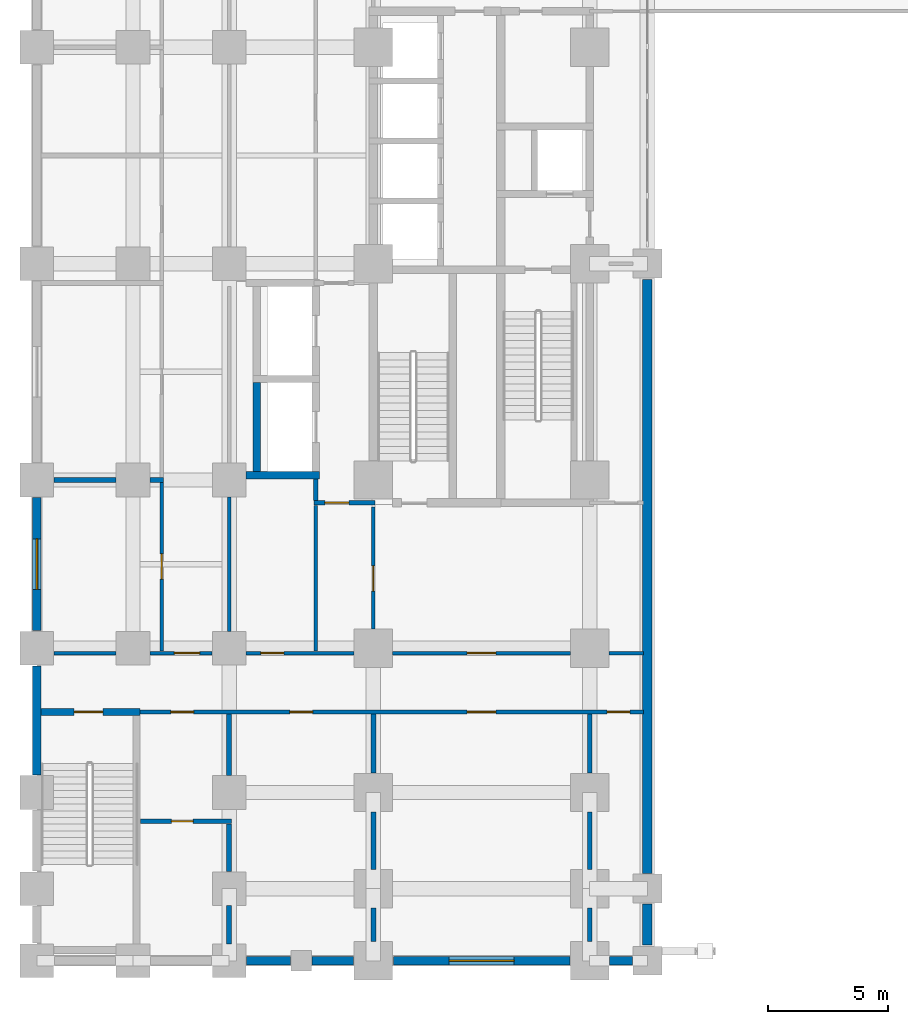
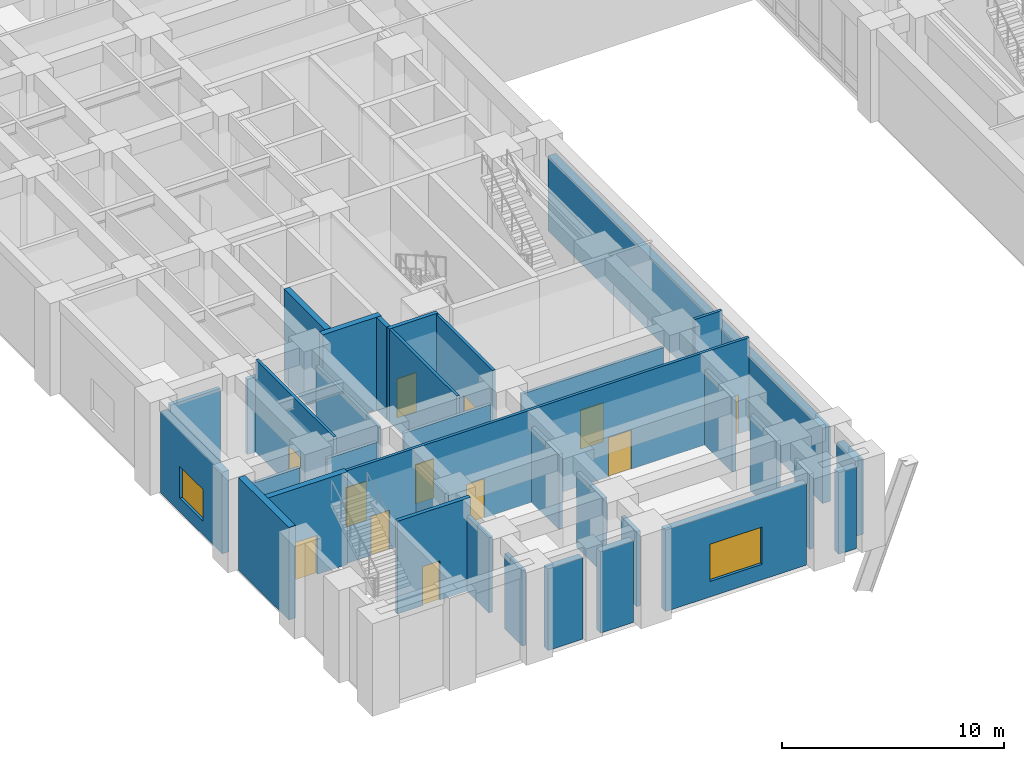
# One storey, part 10 of 23: 35 walls, 12 doors, 2 windows, 14 openings.
"""IFC4 building model written with IfcOpenShell, lengths in metres."""

from ifc_helpers import new_model, si_unit, direction, frame, frame_2d, origin, place, context, subcontext, project, spatial, rectangle, extrude, material, layer, layer_set, type_object, element, fill, save


model = new_model("IFC4")

# Units and contexts
model_context = context("Model", 3, precision=1e-05, world=origin(), true_north=direction((0.0, 1.0)))
body_context = subcontext(model_context, "Body", "Model", "MODEL_VIEW")
ifc_project = project(units=[si_unit("LENGTHUNIT", "METRE"), si_unit("AREAUNIT", "SQUARE_METRE"), si_unit("VOLUMEUNIT", "CUBIC_METRE"), si_unit("PLANEANGLEUNIT", "RADIAN"), si_unit("MASSUNIT", "GRAM", prefix="KILO")], contexts=[model_context])

# Site, building, storey
site_placement = place(None, origin())
site = spatial("IfcSite", under=ifc_project, at=site_placement, CompositionType="ELEMENT")
building_placement = place(site_placement, origin())
building = spatial("IfcBuilding", under=site, at=building_placement, Name="Zulmaris Gate Convention Tower", CompositionType="ELEMENT")
storey_placement = place(building_placement, frame((0.0, 0.0, 10.8798828125)))
storey = spatial("IfcBuildingStorey", under=building, at=storey_placement, Name="L02", CompositionType="ELEMENT", Elevation=10.8798828125)

# Wall, opening, door
ifc_material_1 = material(Name="Concrete C50/60", Category="concrete")
ifc_layer_1 = layer(ifc_material_1, 0.300048828125, Name="Concrete C50/60")
ifc_layer_set_1 = layer_set([ifc_layer_1], Name="Concrete C50/60")
wall_type_1 = type_object("IfcWallType", Name="CORE-300", PredefinedType="SHEAR", material=ifc_layer_set_1)
wall_1_placement = place(storey_placement, frame((-33.8349609375, -18.64990234375, 0.0), z_axis=(0.0, 0.0, 1.0), x_axis=(1.0, 0.0, 0.0)))
wall_1 = element("IfcWall", 1, at=wall_1_placement, inside=storey, type_object=wall_type_1, Name="WL-L02-003", PredefinedType="SHEAR", context=body_context, shape_type="SweptSolid", body=[
    extrude(rectangle(XDim=4.135009765625, YDim=0.300048828125, at=frame_2d((2.0673828125, 0.0))), origin(), (0.0, 0.0, 1.0), 5.09033203125),
])
opening_1_placement = place(wall_1_placement, frame((1.385009765625, 0.0, 0.0)))
opening_1 = element("IfcOpeningElement", 2, at=opening_1_placement, cuts=wall_1, Name="Opening D-13", PredefinedType="OPENING", context=body_context, shape_type="SweptSolid", body=[
    extrude(rectangle(XDim=1.199951171875, YDim=2.14990234375, at=frame_2d((0.60009765625, 1.074951171875))), frame((0.0, 0.16015625, 0.0), z_axis=(0.0, -1.0, 0.0), x_axis=(1.0, 0.0, 0.0)), (0.0, 0.0, 1.0), 0.320068359375),
])
ifc_material_2 = material(Name="Fire-Rated Steel", Category="steel")
door_type_1 = type_object("IfcDoorType", Name="DR-1200-FD", OperationType="NOTDEFINED", PredefinedType="DOOR", material=ifc_material_2)
door_1_placement = place(opening_1_placement, origin())
door_1 = element("IfcDoor", 3, at=door_1_placement, inside=storey, type_object=door_type_1, Name="L02 Exit Stair ST-4 Door 20", OperationType="SINGLE_SWING_LEFT", OverallHeight=2.14990234375, OverallWidth=1.199951171875, PredefinedType="DOOR", context=body_context, shape_type="SweptSolid", body=[
    extrude(rectangle(XDim=1.199951171875, YDim=2.14990234375, at=frame_2d((0.60009765625, 1.074951171875))), frame((0.0, 0.02490234375, 0.0), z_axis=(0.0, -1.0, 0.0), x_axis=(1.0, 0.0, 0.0)), (0.0, 0.0, 1.0), 0.050048828125),
])
fill(opening_1, door_1)

# Walls
wall_2_placement = place(storey_placement, frame((-25.2958984375, -8.800048828125, 0.0), z_axis=(0.0, 0.0, 1.0), x_axis=(1.0, 0.0, 0.0)))
element("IfcWall", 4, at=wall_2_placement, inside=storey, type_object=wall_type_1, Name="WL-L02-009", PredefinedType="SHEAR", context=body_context, shape_type="SweptSolid", body=[
    extrude(rectangle(XDim=3.0458984375, YDim=0.300048828125, at=frame_2d((1.52294921875, 0.0))), origin(), (0.0, 0.0, 1.0), 5.09033203125),
])
wall_3_placement = place(storey_placement, frame((-24.85009765625, -8.64794921875, 0.0), z_axis=(0.0, 0.0, 1.0), x_axis=(0.0, 1.0, 0.0)))
element("IfcWall", 5, at=wall_3_placement, inside=storey, type_object=wall_type_1, Name="WL-L02-067", PredefinedType="SHEAR", context=body_context, shape_type="SweptSolid", body=[
    extrude(rectangle(XDim=3.696044921875, YDim=0.300048828125, at=frame_2d((1.84814453125, 0.0))), origin(), (0.0, 0.0, 1.0), 5.09033203125),
])

# Wall, openings, doors
ifc_material_3 = material(Name="Gypsum Metal Stud Partition")
ifc_layer_2 = layer(ifc_material_3, 0.14990234375, Name="Gypsum Metal Stud Partition")
ifc_layer_set_2 = layer_set([ifc_layer_2], Name="Gypsum Metal Stud Partition")
wall_type_2 = type_object("IfcWallType", Name="PART-150", PredefinedType="PARTITIONING", material=ifc_layer_set_2)
wall_4_placement = place(storey_placement, frame((-29.85009765625, -18.64990234375, 0.0), z_axis=(0.0, 0.0, 1.0), x_axis=(1.0, 0.0, 0.0)))
wall_4 = element("IfcWall", 6, at=wall_4_placement, inside=storey, type_object=wall_type_2, Name="WL-L02-030", PredefinedType="PARTITIONING", context=body_context, shape_type="SweptSolid", body=[
    extrude(rectangle(XDim=21.085205078125, YDim=0.14990234375, at=frame_2d((10.54248046875, 0.0))), origin(), (0.0, 0.0, 1.0), 5.09033203125),
])
opening_2_placement = place(wall_4_placement, frame((1.425048828125, 0.0, 0.0)))
opening_2 = element("IfcOpeningElement", 7, at=opening_2_placement, cuts=wall_4, Name="Opening D-11", PredefinedType="OPENING", context=body_context, shape_type="SweptSolid", body=[
    extrude(rectangle(XDim=0.949951171875, YDim=2.14990234375, at=frame_2d((0.47509765625, 1.074951171875))), frame((0.0, 0.0849609375, 0.0), z_axis=(0.0, -1.0, 0.0), x_axis=(1.0, 0.0, 0.0)), (0.0, 0.0, 1.0), 0.169921875),
])
opening_3_placement = place(wall_4_placement, frame((6.375, 0.0, 0.0)))
opening_3 = element("IfcOpeningElement", 8, at=opening_3_placement, cuts=wall_4, Name="Opening D-11", PredefinedType="OPENING", context=body_context, shape_type="SweptSolid", body=[
    extrude(rectangle(XDim=0.949951171875, YDim=2.14990234375, at=frame_2d((0.47509765625, 1.074951171875))), frame((0.0, 0.0849609375, 0.0), z_axis=(0.0, -1.0, 0.0), x_axis=(1.0, 0.0, 0.0)), (0.0, 0.0, 1.0), 0.169921875),
])
opening_4_placement = place(wall_4_placement, frame((13.75, 0.0, 0.0)))
opening_4 = element("IfcOpeningElement", 9, at=opening_4_placement, cuts=wall_4, Name="Opening D-13", PredefinedType="OPENING", context=body_context, shape_type="SweptSolid", body=[
    extrude(rectangle(XDim=1.199951171875, YDim=2.14990234375, at=frame_2d((0.60009765625, 1.074951171875))), frame((0.0, 0.0849609375, 0.0), z_axis=(0.0, -1.0, 0.0), x_axis=(1.0, 0.0, 0.0)), (0.0, 0.0, 1.0), 0.169921875),
])
opening_5_placement = place(wall_4_placement, frame((19.574951171875, 0.0, 0.0)))
opening_5 = element("IfcOpeningElement", 10, at=opening_5_placement, cuts=wall_4, Name="Opening D-11", PredefinedType="OPENING", context=body_context, shape_type="SweptSolid", body=[
    extrude(rectangle(XDim=0.949951171875, YDim=2.14990234375, at=frame_2d((0.47509765625, 1.074951171875))), frame((0.0, 0.0849609375, 0.0), z_axis=(0.0, -1.0, 0.0), x_axis=(1.0, 0.0, 0.0)), (0.0, 0.0, 1.0), 0.169921875),
])
door_2_placement = place(opening_4_placement, origin())
door_2 = element("IfcDoor", 11, at=door_2_placement, inside=storey, type_object=door_type_1, Name="L02 South-West Banquet Hall Door 78", OperationType="SINGLE_SWING_LEFT", OverallHeight=2.14990234375, OverallWidth=1.199951171875, PredefinedType="DOOR", context=body_context, shape_type="SweptSolid", body=[
    extrude(rectangle(XDim=1.199951171875, YDim=2.14990234375, at=frame_2d((0.60009765625, 1.074951171875))), frame((0.0, 0.02490234375, 0.0), z_axis=(0.0, -1.0, 0.0), x_axis=(1.0, 0.0, 0.0)), (0.0, 0.0, 1.0), 0.050048828125),
])
fill(opening_4, door_2)
ifc_material_4 = material(Name="Fire-Rated Timber", Category="wood")
door_type_2 = type_object("IfcDoorType", Name="DR-950-FD", OperationType="NOTDEFINED", PredefinedType="DOOR", material=ifc_material_4)
door_3_placement = place(opening_2_placement, origin())
door_3 = element("IfcDoor", 12, at=door_3_placement, inside=storey, type_object=door_type_2, Name="L02 SW AV Control Door 76", OperationType="SINGLE_SWING_LEFT", OverallHeight=2.14990234375, OverallWidth=0.949951171875, PredefinedType="DOOR", context=body_context, shape_type="SweptSolid", body=[
    extrude(rectangle(XDim=0.949951171875, YDim=2.14990234375, at=frame_2d((0.47509765625, 1.074951171875))), frame((0.0, 0.02490234375, 0.0), z_axis=(0.0, -1.0, 0.0), x_axis=(1.0, 0.0, 0.0)), (0.0, 0.0, 1.0), 0.050048828125),
])
fill(opening_2, door_3)
door_4_placement = place(opening_3_placement, origin())
door_4 = element("IfcDoor", 13, at=door_4_placement, inside=storey, type_object=door_type_2, Name="L02 South-West Seminar Room Door 77", OperationType="SINGLE_SWING_RIGHT", OverallHeight=2.14990234375, OverallWidth=0.949951171875, PredefinedType="DOOR", context=body_context, shape_type="SweptSolid", body=[
    extrude(rectangle(XDim=0.949951171875, YDim=2.14990234375, at=frame_2d((0.47509765625, 1.074951171875))), frame((0.0, 0.02490234375, 0.0), z_axis=(0.0, -1.0, 0.0), x_axis=(1.0, 0.0, 0.0)), (0.0, 0.0, 1.0), 0.050048828125),
])
fill(opening_3, door_4)
door_5_placement = place(opening_5_placement, origin())
door_5 = element("IfcDoor", 14, at=door_5_placement, inside=storey, type_object=door_type_2, Name="L02 South-West Furniture Store Door 79", OperationType="SINGLE_SWING_RIGHT", OverallHeight=2.14990234375, OverallWidth=0.949951171875, PredefinedType="DOOR", context=body_context, shape_type="SweptSolid", body=[
    extrude(rectangle(XDim=0.949951171875, YDim=2.14990234375, at=frame_2d((0.47509765625, 1.074951171875))), frame((0.0, 0.02490234375, 0.0), z_axis=(0.0, -1.0, 0.0), x_axis=(1.0, 0.0, 0.0)), (0.0, 0.0, 1.0), 0.050048828125),
])
fill(opening_5, door_5)

# Wall
wall_5_placement = place(storey_placement, frame((-33.2939453125, -16.199951171875, 0.0), z_axis=(0.0, 0.0, 1.0), x_axis=(1.0, 0.0, 0.0)))
element("IfcWall", 15, at=wall_5_placement, inside=storey, type_object=wall_type_2, Name="WL-L02-032", PredefinedType="PARTITIONING", context=body_context, shape_type="SweptSolid", body=[
    extrude(rectangle(XDim=2.587890625, YDim=0.14990234375, at=frame_2d((1.2939453125, 0.0))), origin(), (0.0, 0.0, 1.0), 4.13232421875),
])

# Wall, opening, door
wall_6_placement = place(storey_placement, frame((-29.2939453125, -16.199951171875, 0.0), z_axis=(0.0, 0.0, 1.0), x_axis=(1.0, 0.0, 0.0)))
wall_6 = element("IfcWall", 16, at=wall_6_placement, inside=storey, type_object=wall_type_2, Name="WL-L02-032S1", PredefinedType="PARTITIONING", context=body_context, shape_type="SweptSolid", body=[
    extrude(rectangle(XDim=2.587890625, YDim=0.14990234375, at=frame_2d((1.2939453125, 0.0))), origin(), (0.0, 0.0, 1.0), 4.13232421875),
])
opening_6_placement = place(wall_6_placement, frame((1.01904296875, 0.0, 0.0)))
opening_6 = element("IfcOpeningElement", 17, at=opening_6_placement, cuts=wall_6, Name="Opening D-09", PredefinedType="OPENING", context=body_context, shape_type="SweptSolid", body=[
    extrude(rectangle(XDim=1.050048828125, YDim=2.14990234375, at=frame_2d((0.52490234375, 1.074951171875))), frame((0.0, 0.0849609375, 0.0), z_axis=(0.0, -1.0, 0.0), x_axis=(1.0, 0.0, 0.0)), (0.0, 0.0, 1.0), 0.169921875),
])
door_type_3 = type_object("IfcDoorType", Name="DR-1050-FD", OperationType="NOTDEFINED", PredefinedType="DOOR", material=ifc_material_2)
door_6_placement = place(opening_6_placement, origin())
door_6 = element("IfcDoor", 18, at=door_6_placement, inside=storey, type_object=door_type_3, Name="L02 West Promenade Stair Link Door 59", OperationType="SINGLE_SWING_RIGHT", OverallHeight=2.14990234375, OverallWidth=1.050048828125, PredefinedType="DOOR", context=body_context, shape_type="SweptSolid", body=[
    extrude(rectangle(XDim=1.050048828125, YDim=2.14990234375, at=frame_2d((0.52490234375, 1.074951171875))), frame((0.0, 0.02490234375, 0.0), z_axis=(0.0, -1.0, 0.0), x_axis=(1.0, 0.0, 0.0)), (0.0, 0.0, 1.0), 0.050048828125),
])
fill(opening_6, door_6)

wall_7_placement = place(storey_placement, frame((-25.2939453125, -16.199951171875, 0.0), z_axis=(0.0, 0.0, 1.0), x_axis=(1.0, 0.0, 0.0)))
wall_7 = element("IfcWall", 19, at=wall_7_placement, inside=storey, type_object=wall_type_2, Name="WL-L02-032S2", PredefinedType="PARTITIONING", context=body_context, shape_type="SweptSolid", body=[
    extrude(rectangle(XDim=4.488037109375, YDim=0.14990234375, at=frame_2d((2.244140625, 0.0))), origin(), (0.0, 0.0, 1.0), 4.13232421875),
])
opening_7_placement = place(wall_7_placement, frame((0.618896484375, 0.0, 0.0)))
opening_7 = element("IfcOpeningElement", 20, at=opening_7_placement, cuts=wall_7, Name="Opening D-11", PredefinedType="OPENING", context=body_context, shape_type="SweptSolid", body=[
    extrude(rectangle(XDim=0.949951171875, YDim=2.14990234375, at=frame_2d((0.47509765625, 1.074951171875))), frame((0.0, 0.0849609375, 0.0), z_axis=(0.0, -1.0, 0.0), x_axis=(1.0, 0.0, 0.0)), (0.0, 0.0, 1.0), 0.169921875),
])
door_7_placement = place(opening_7_placement, origin())
door_7 = element("IfcDoor", 21, at=door_7_placement, inside=storey, type_object=door_type_2, Name="L02 West Staging Store Door 30", OperationType="SINGLE_SWING_LEFT", OverallHeight=2.14990234375, OverallWidth=0.949951171875, PredefinedType="DOOR", context=body_context, shape_type="SweptSolid", body=[
    extrude(rectangle(XDim=0.949951171875, YDim=2.14990234375, at=frame_2d((0.47509765625, 1.074951171875))), frame((0.0, 0.02490234375, 0.0), z_axis=(0.0, -1.0, 0.0), x_axis=(1.0, 0.0, 0.0)), (0.0, 0.0, 1.0), 0.050048828125),
])
fill(opening_7, door_7)

wall_8_placement = place(storey_placement, frame((-19.194091796875, -16.199951171875, 0.0), z_axis=(0.0, 0.0, 1.0), x_axis=(1.0, 0.0, 0.0)))
wall_8 = element("IfcWall", 22, at=wall_8_placement, inside=storey, type_object=wall_type_2, Name="WL-L02-032S3", PredefinedType="PARTITIONING", context=body_context, shape_type="SweptSolid", body=[
    extrude(rectangle(XDim=7.38818359375, YDim=0.14990234375, at=frame_2d((3.694091796875, 0.0))), origin(), (0.0, 0.0, 1.0), 4.13232421875),
])
opening_8_placement = place(wall_8_placement, frame((3.093994140625, 0.0, 0.0)))
opening_8 = element("IfcOpeningElement", 23, at=opening_8_placement, cuts=wall_8, Name="Opening D-13", PredefinedType="OPENING", context=body_context, shape_type="SweptSolid", body=[
    extrude(rectangle(XDim=1.199951171875, YDim=2.14990234375, at=frame_2d((0.60009765625, 1.074951171875))), frame((0.0, 0.0849609375, 0.0), z_axis=(0.0, -1.0, 0.0), x_axis=(1.0, 0.0, 0.0)), (0.0, 0.0, 1.0), 0.169921875),
])
door_8_placement = place(opening_8_placement, origin())
door_8 = element("IfcDoor", 24, at=door_8_placement, inside=storey, type_object=door_type_1, Name="L02 SW Stair Link Door 41", OperationType="SINGLE_SWING_RIGHT", OverallHeight=2.14990234375, OverallWidth=1.199951171875, PredefinedType="DOOR", context=body_context, shape_type="SweptSolid", body=[
    extrude(rectangle(XDim=1.199951171875, YDim=2.14990234375, at=frame_2d((0.60009765625, 1.074951171875))), frame((0.0, 0.02490234375, 0.0), z_axis=(0.0, -1.0, 0.0), x_axis=(1.0, 0.0, 0.0)), (0.0, 0.0, 1.0), 0.050048828125),
])
fill(opening_8, door_8)

# Wall
wall_9_placement = place(storey_placement, frame((-10.194091796875, -16.199951171875, 0.0), z_axis=(0.0, 0.0, 1.0), x_axis=(1.0, 0.0, 0.0)))
element("IfcWall", 25, at=wall_9_placement, inside=storey, type_object=wall_type_2, Name="WL-L02-032S4", PredefinedType="PARTITIONING", context=body_context, shape_type="SweptSolid", body=[
    extrude(rectangle(XDim=1.42919921875, YDim=0.14990234375, at=frame_2d((0.714599609375, 0.0))), origin(), (0.0, 0.0, 1.0), 5.09033203125),
])

# Wall, opening, door
wall_10_placement = place(storey_placement, frame((-28.800048828125, -16.1220703125, 0.0), z_axis=(0.0, 0.0, 1.0), x_axis=(0.0, 1.0, 0.0)))
wall_10 = element("IfcWall", 26, at=wall_10_placement, inside=storey, type_object=wall_type_2, Name="WL-L02-109", PredefinedType="PARTITIONING", context=body_context, shape_type="SweptSolid", body=[
    extrude(rectangle(XDim=7.01904296875, YDim=0.14990234375, at=frame_2d((3.509521484375, 0.0))), origin(), (0.0, 0.0, 1.0), 5.09033203125),
])
opening_9_placement = place(wall_10_placement, frame((2.9970703125, 0.0, 0.0)))
opening_9 = element("IfcOpeningElement", 27, at=opening_9_placement, cuts=wall_10, Name="Opening D-09", PredefinedType="OPENING", context=body_context, shape_type="SweptSolid", body=[
    extrude(rectangle(XDim=1.050048828125, YDim=2.14990234375, at=frame_2d((0.52490234375, 1.074951171875))), frame((0.0, 0.0849609375, 0.0), z_axis=(0.0, -1.0, 0.0), x_axis=(1.0, 0.0, 0.0)), (0.0, 0.0, 1.0), 0.169921875),
])
door_9_placement = place(opening_9_placement, origin())
door_9 = element("IfcDoor", 28, at=door_9_placement, inside=storey, type_object=door_type_3, Name="L02 SW Workshop WL1 Door 61", OperationType="SINGLE_SWING_RIGHT", OverallHeight=2.14990234375, OverallWidth=1.050048828125, PredefinedType="DOOR", context=body_context, shape_type="SweptSolid", body=[
    extrude(rectangle(XDim=1.050048828125, YDim=2.14990234375, at=frame_2d((0.52490234375, 1.074951171875))), frame((0.0, 0.02490234375, 0.0), z_axis=(0.0, -1.0, 0.0), x_axis=(1.0, 0.0, 0.0)), (0.0, 0.0, 1.0), 0.050048828125),
])
fill(opening_9, door_9)

# Walls
wall_11_placement = place(storey_placement, frame((-26.0, -15.2939453125, 0.0), z_axis=(0.0, 0.0, 1.0), x_axis=(0.0, 1.0, 0.0)))
element("IfcWall", 29, at=wall_11_placement, inside=storey, type_object=wall_type_2, Name="WL-L02-116", PredefinedType="PARTITIONING", context=body_context, shape_type="SweptSolid", body=[
    extrude(rectangle(XDim=5.587890625, YDim=0.14990234375, at=frame_2d((2.7939453125, 0.0))), origin(), (0.0, 0.0, 1.0), 4.13232421875),
])
wall_12_placement = place(storey_placement, frame((-22.39990234375, -16.1220703125, 0.0), z_axis=(0.0, 0.0, 1.0), x_axis=(0.0, 1.0, 0.0)))
element("IfcWall", 30, at=wall_12_placement, inside=storey, type_object=wall_type_2, Name="WL-L02-120", PredefinedType="PARTITIONING", context=body_context, shape_type="SweptSolid", body=[
    extrude(rectangle(XDim=6.069091796875, YDim=0.14990234375, at=frame_2d((3.03466796875, 0.0))), origin(), (0.0, 0.0, 1.0), 5.09033203125),
])

# Wall, opening, door
wall_13_placement = place(storey_placement, frame((-20.0, -15.194091796875, 0.0), z_axis=(0.0, 0.0, 1.0), x_axis=(0.0, 1.0, 0.0)))
wall_13 = element("IfcWall", 31, at=wall_13_placement, inside=storey, type_object=wall_type_2, Name="WL-L02-124", PredefinedType="PARTITIONING", context=body_context, shape_type="SweptSolid", body=[
    extrude(rectangle(XDim=5.066162109375, YDim=0.14990234375, at=frame_2d((2.533203125, 0.0))), origin(), (0.0, 0.0, 1.0), 5.09033203125),
])
opening_10_placement = place(wall_13_placement, frame((1.569091796875, 0.0, 0.0)))
opening_10 = element("IfcOpeningElement", 32, at=opening_10_placement, cuts=wall_13, Name="Opening D-09", PredefinedType="OPENING", context=body_context, shape_type="SweptSolid", body=[
    extrude(rectangle(XDim=1.050048828125, YDim=2.14990234375, at=frame_2d((0.52490234375, 1.074951171875))), frame((0.0, 0.0849609375, 0.0), z_axis=(0.0, -1.0, 0.0), x_axis=(1.0, 0.0, 0.0)), (0.0, 0.0, 1.0), 0.169921875),
])
door_10_placement = place(opening_10_placement, origin())
door_10 = element("IfcDoor", 33, at=door_10_placement, inside=storey, type_object=door_type_3, Name="L02 SW Goods Passage Link Door 29", OperationType="SINGLE_SWING_RIGHT", OverallHeight=2.14990234375, OverallWidth=1.050048828125, PredefinedType="DOOR", context=body_context, shape_type="SweptSolid", body=[
    extrude(rectangle(XDim=1.050048828125, YDim=2.14990234375, at=frame_2d((0.52490234375, 1.074951171875))), frame((0.0, 0.02490234375, 0.0), z_axis=(0.0, -1.0, 0.0), x_axis=(1.0, 0.0, 0.0)), (0.0, 0.0, 1.0), 0.050048828125),
])
fill(opening_10, door_10)

ifc_material_5 = material(Name="Autoclaved Aerated Concrete Block and Plasterboard", Category="concrete")
ifc_layer_3 = layer(ifc_material_5, 0.199951171875, Name="Autoclaved Aerated Concrete Block and Plasterboard")
ifc_layer_set_3 = layer_set([ifc_layer_3], Name="Autoclaved Aerated Concrete Block and Plasterboard")
wall_type_3 = type_object("IfcWallType", Name="PART-200", PredefinedType="PARTITIONING", material=ifc_layer_set_3)
wall_14_placement = place(storey_placement, frame((-29.697021484375, -23.199951171875, 0.0), z_axis=(0.0, 0.0, 1.0), x_axis=(1.0, 0.0, 0.0)))
wall_14 = element("IfcWall", 34, at=wall_14_placement, inside=storey, type_object=wall_type_3, Name="WL-L02-029", PredefinedType="PARTITIONING", context=body_context, shape_type="SweptSolid", body=[
    extrude(rectangle(XDim=3.797119140625, YDim=0.199951171875, at=frame_2d((1.8984375, 0.0))), origin(), (0.0, 0.0, 1.0), 5.09033203125),
])
opening_11_placement = place(wall_14_placement, frame((1.297119140625, 0.0, 0.0)))
opening_11 = element("IfcOpeningElement", 35, at=opening_11_placement, cuts=wall_14, Name="Opening D-12", PredefinedType="OPENING", context=body_context, shape_type="SweptSolid", body=[
    extrude(rectangle(XDim=0.89990234375, YDim=2.14990234375, at=frame_2d((0.449951171875, 1.074951171875))), frame((0.0, 0.10986328125, 0.0), z_axis=(0.0, -1.0, 0.0), x_axis=(1.0, 0.0, 0.0)), (0.0, 0.0, 1.0), 0.219970703125),
])
door_type_4 = type_object("IfcDoorType", Name="DR-900-FD", OperationType="NOTDEFINED", PredefinedType="DOOR", material=ifc_material_4)
door_11_placement = place(opening_11_placement, origin())
door_11 = element("IfcDoor", 36, at=door_11_placement, inside=storey, type_object=door_type_4, Name="L02 SW AV Store Door 75", OperationType="SINGLE_SWING_RIGHT", OverallHeight=2.14990234375, OverallWidth=0.89990234375, PredefinedType="DOOR", context=body_context, shape_type="SweptSolid", body=[
    extrude(rectangle(XDim=0.89990234375, YDim=2.14990234375, at=frame_2d((0.449951171875, 1.074951171875))), frame((0.0, 0.02490234375, 0.0), z_axis=(0.0, -1.0, 0.0), x_axis=(1.0, 0.0, 0.0)), (0.0, 0.0, 1.0), 0.050048828125),
])
fill(opening_11, door_11)

wall_15_placement = place(storey_placement, frame((-22.47509765625, -9.949951171875, 0.0), z_axis=(0.0, 0.0, 1.0), x_axis=(1.0, 0.0, 0.0)))
wall_15 = element("IfcWall", 37, at=wall_15_placement, inside=storey, type_object=wall_type_3, Name="WL-L02-034", PredefinedType="PARTITIONING", context=body_context, shape_type="SweptSolid", body=[
    extrude(rectangle(XDim=2.550048828125, YDim=0.199951171875, at=frame_2d((1.27490234375, 0.0))), origin(), (0.0, 0.0, 1.0), 5.09033203125),
])
opening_12_placement = place(wall_15_placement, frame((0.455078125, 0.0, 0.0)))
opening_12 = element("IfcOpeningElement", 38, at=opening_12_placement, cuts=wall_15, Name="Opening D-10", PredefinedType="OPENING", context=body_context, shape_type="SweptSolid", body=[
    extrude(rectangle(XDim=1.0, YDim=2.14990234375, at=frame_2d((0.5, 1.074951171875))), frame((0.0, 0.10986328125, 0.0), z_axis=(0.0, -1.0, 0.0), x_axis=(1.0, 0.0, 0.0)), (0.0, 0.0, 1.0), 0.219970703125),
])
door_type_5 = type_object("IfcDoorType", Name="DR-1000-FD", OperationType="NOTDEFINED", PredefinedType="DOOR", material=ifc_material_4)
door_12_placement = place(opening_12_placement, origin())
door_12 = element("IfcDoor", 39, at=door_12_placement, inside=storey, type_object=door_type_5, Name="L02 Goods Lobby South Door 28", OperationType="SINGLE_SWING_LEFT", OverallHeight=2.14990234375, OverallWidth=1.0, PredefinedType="DOOR", context=body_context, shape_type="SweptSolid", body=[
    extrude(rectangle(XDim=1.0, YDim=2.14990234375, at=frame_2d((0.5, 1.074951171875))), frame((0.0, 0.02490234375, 0.0), z_axis=(0.0, -1.0, 0.0), x_axis=(1.0, 0.0, 0.0)), (0.0, 0.0, 1.0), 0.050048828125),
])
fill(opening_12, door_12)

# Walls
wall_16_placement = place(storey_placement, frame((-33.2939453125, -9.0, 0.0), z_axis=(0.0, 0.0, 1.0), x_axis=(1.0, 0.0, 0.0)))
element("IfcWall", 40, at=wall_16_placement, inside=storey, type_object=wall_type_3, Name="WL-L02-037", PredefinedType="PARTITIONING", context=body_context, shape_type="SweptSolid", body=[
    extrude(rectangle(XDim=2.587890625, YDim=0.199951171875, at=frame_2d((1.2939453125, 0.0))), origin(), (0.0, 0.0, 1.0), 4.13232421875),
])
wall_17_placement = place(storey_placement, frame((-29.2939453125, -9.0, 0.0), z_axis=(0.0, 0.0, 1.0), x_axis=(1.0, 0.0, 0.0)))
element("IfcWall", 41, at=wall_17_placement, inside=storey, type_object=wall_type_3, Name="WL-L02-037S1", PredefinedType="PARTITIONING", context=body_context, shape_type="SweptSolid", body=[
    extrude(rectangle(XDim=0.56884765625, YDim=0.199951171875, at=frame_2d((0.284423828125, 0.0))), origin(), (0.0, 0.0, 1.0), 4.13232421875),
])
wall_18_placement = place(storey_placement, frame((-26.0, -28.2939453125, 0.0), z_axis=(0.0, 0.0, 1.0), x_axis=(0.0, 1.0, 0.0)))
element("IfcWall", 42, at=wall_18_placement, inside=storey, type_object=wall_type_3, Name="WL-L02-114", PredefinedType="PARTITIONING", context=body_context, shape_type="SweptSolid", body=[
    extrude(rectangle(XDim=1.587890625, YDim=0.199951171875, at=frame_2d((0.7939453125, 0.0))), origin(), (0.0, 0.0, 1.0), 4.13232421875),
])
wall_19_placement = place(storey_placement, frame((-26.0, -25.2939453125, 0.0), z_axis=(0.0, 0.0, 1.0), x_axis=(0.0, 1.0, 0.0)))
element("IfcWall", 43, at=wall_19_placement, inside=storey, type_object=wall_type_3, Name="WL-L02-114S1", PredefinedType="PARTITIONING", context=body_context, shape_type="SweptSolid", body=[
    extrude(rectangle(XDim=1.990966796875, YDim=0.199951171875, at=frame_2d((0.99560546875, 0.0))), origin(), (0.0, 0.0, 1.0), 4.13232421875),
])
wall_20_placement = place(storey_placement, frame((-26.0, -21.2939453125, 0.0), z_axis=(0.0, 0.0, 1.0), x_axis=(0.0, 1.0, 0.0)))
element("IfcWall", 44, at=wall_20_placement, inside=storey, type_object=wall_type_3, Name="WL-L02-115", PredefinedType="PARTITIONING", context=body_context, shape_type="SweptSolid", body=[
    extrude(rectangle(XDim=2.56591796875, YDim=0.199951171875, at=frame_2d((1.282958984375, 0.0))), origin(), (0.0, 0.0, 1.0), 4.13232421875),
])
wall_21_placement = place(storey_placement, frame((-22.39990234375, -9.846923828125, 0.0), z_axis=(0.0, 0.0, 1.0), x_axis=(0.0, 1.0, 0.0)))
element("IfcWall", 45, at=wall_21_placement, inside=storey, type_object=wall_type_3, Name="WL-L02-121", PredefinedType="PARTITIONING", context=body_context, shape_type="SweptSolid", body=[
    extrude(rectangle(XDim=0.89404296875, YDim=0.199951171875, at=frame_2d((0.447021484375, 0.0))), origin(), (0.0, 0.0, 1.0), 5.09033203125),
])
wall_22_placement = place(storey_placement, frame((-20.0, -28.194091796875, 0.0), z_axis=(0.0, 0.0, 1.0), x_axis=(0.0, 1.0, 0.0)))
element("IfcWall", 46, at=wall_22_placement, inside=storey, type_object=wall_type_3, Name="WL-L02-123", PredefinedType="PARTITIONING", context=body_context, shape_type="SweptSolid", body=[
    extrude(rectangle(XDim=1.38818359375, YDim=0.199951171875, at=frame_2d((0.694091796875, 0.0))), origin(), (0.0, 0.0, 1.0), 4.13232421875),
])
wall_23_placement = place(storey_placement, frame((-20.0, -25.194091796875, 0.0), z_axis=(0.0, 0.0, 1.0), x_axis=(0.0, 1.0, 0.0)))
element("IfcWall", 47, at=wall_23_placement, inside=storey, type_object=wall_type_3, Name="WL-L02-123S1", PredefinedType="PARTITIONING", context=body_context, shape_type="SweptSolid", body=[
    extrude(rectangle(XDim=2.38818359375, YDim=0.199951171875, at=frame_2d((1.194091796875, 0.0))), origin(), (0.0, 0.0, 1.0), 4.13232421875),
])
wall_24_placement = place(storey_placement, frame((-20.0, -21.194091796875, 0.0), z_axis=(0.0, 0.0, 1.0), x_axis=(0.0, 1.0, 0.0)))
element("IfcWall", 48, at=wall_24_placement, inside=storey, type_object=wall_type_3, Name="WL-L02-123S2", PredefinedType="PARTITIONING", context=body_context, shape_type="SweptSolid", body=[
    extrude(rectangle(XDim=2.466064453125, YDim=0.199951171875, at=frame_2d((1.23291015625, 0.0))), origin(), (0.0, 0.0, 1.0), 4.13232421875),
])
wall_25_placement = place(storey_placement, frame((-11.0, -28.194091796875, 0.0), z_axis=(0.0, 0.0, 1.0), x_axis=(0.0, 1.0, 0.0)))
element("IfcWall", 49, at=wall_25_placement, inside=storey, type_object=wall_type_3, Name="WL-L02-129", PredefinedType="PARTITIONING", context=body_context, shape_type="SweptSolid", body=[
    extrude(rectangle(XDim=1.38818359375, YDim=0.199951171875, at=frame_2d((0.694091796875, 0.0))), origin(), (0.0, 0.0, 1.0), 4.13232421875),
])
wall_26_placement = place(storey_placement, frame((-11.0, -25.194091796875, 0.0), z_axis=(0.0, 0.0, 1.0), x_axis=(0.0, 1.0, 0.0)))
element("IfcWall", 50, at=wall_26_placement, inside=storey, type_object=wall_type_3, Name="WL-L02-129S1", PredefinedType="PARTITIONING", context=body_context, shape_type="SweptSolid", body=[
    extrude(rectangle(XDim=2.38818359375, YDim=0.199951171875, at=frame_2d((1.194091796875, 0.0))), origin(), (0.0, 0.0, 1.0), 4.13232421875),
])
wall_27_placement = place(storey_placement, frame((-11.0, -21.194091796875, 0.0), z_axis=(0.0, 0.0, 1.0), x_axis=(0.0, 1.0, 0.0)))
element("IfcWall", 51, at=wall_27_placement, inside=storey, type_object=wall_type_3, Name="WL-L02-129S2", PredefinedType="PARTITIONING", context=body_context, shape_type="SweptSolid", body=[
    extrude(rectangle(XDim=2.466064453125, YDim=0.199951171875, at=frame_2d((1.23291015625, 0.0))), origin(), (0.0, 0.0, 1.0), 4.13232421875),
])
ifc_material_6 = material(Name="Precast concrete C50/60", Category="concrete")
ifc_layer_4 = layer(ifc_material_6, 0.39990234375, Name="Precast concrete C50/60")
ifc_layer_set_4 = layer_set([ifc_layer_4], Name="Precast concrete C50/60")
wall_type_4 = type_object("IfcWallType", Name="PRECAST-ARCH-400", PredefinedType="STANDARD", material=ifc_layer_set_4)
wall_28_placement = place(storey_placement, frame((-8.60009765625, -28.35009765625, 0.0), z_axis=(0.0, 0.0, 1.0), x_axis=(0.0, 1.0, 0.0)))
element("IfcWall", 52, at=wall_28_placement, inside=storey, type_object=wall_type_4, Name="EW-L02-ARCH-WS_0", PredefinedType="STANDARD", context=body_context, shape_type="SweptSolid", body=[
    extrude(rectangle(XDim=1.72021484375, YDim=0.39990234375, at=frame_2d((0.860107421875, 0.0))), origin(), (0.0, 0.0, 1.0), 4.13232421875),
])
wall_29_placement = place(storey_placement, frame((-8.60009765625, -25.3701171875, 0.0), z_axis=(0.0, 0.0, 1.0), x_axis=(0.0, 1.0, 0.0)))
element("IfcWall", 53, at=wall_29_placement, inside=storey, type_object=wall_type_4, Name="EW-L02-ARCH-WS_1", PredefinedType="STANDARD", context=body_context, shape_type="SweptSolid", body=[
    extrude(rectangle(XDim=24.72021484375, YDim=0.39990234375, at=frame_2d((12.360107421875, 0.0))), origin(), (0.0, 0.0, 1.0), 4.13232421875),
])
ifc_material_7 = material(Name="Precast concrete C45/55", Category="concrete")
ifc_layer_5 = layer(ifc_material_7, 0.35009765625, Name="Precast concrete C45/55")
ifc_layer_set_5 = layer_set([ifc_layer_5], Name="Precast concrete C45/55")
wall_type_5 = type_object("IfcWallType", Name="PRECAST-POD-350", PredefinedType="STANDARD", material=ifc_layer_set_5)
wall_30_placement = place(storey_placement, frame((-25.27001953125, -29.0, 0.0), z_axis=(0.0, 0.0, 1.0), x_axis=(1.0, 0.0, 0.0)))
element("IfcWall", 54, at=wall_30_placement, inside=storey, type_object=wall_type_5, Name="EW-L02-S--260_0", PredefinedType="STANDARD", context=body_context, shape_type="SweptSolid", body=[
    extrude(rectangle(XDim=1.81494140625, YDim=0.35009765625, at=frame_2d((0.907470703125, 0.0))), origin(), (0.0, 0.0, 1.0), 4.482177734375),
])
wall_31_placement = place(storey_placement, frame((-22.544921875, -29.0, 0.0), z_axis=(0.0, 0.0, 1.0), x_axis=(1.0, 0.0, 0.0)))
element("IfcWall", 55, at=wall_31_placement, inside=storey, type_object=wall_type_5, Name="EW-L02-S--230_0", PredefinedType="STANDARD", context=body_context, shape_type="SweptSolid", body=[
    extrude(rectangle(XDim=1.71484375, YDim=0.35009765625, at=frame_2d((0.857421875, 0.0))), origin(), (0.0, 0.0, 1.0), 4.482177734375),
])

# Wall, opening, window
wall_32_placement = place(storey_placement, frame((-19.169921875, -29.0, 0.0), z_axis=(0.0, 0.0, 1.0), x_axis=(1.0, 0.0, 0.0)))
wall_32 = element("IfcWall", 56, at=wall_32_placement, inside=storey, type_object=wall_type_5, Name="EW-L02-S--200_0", PredefinedType="STANDARD", context=body_context, shape_type="SweptSolid", body=[
    extrude(rectangle(XDim=7.33984375, YDim=0.35009765625, at=frame_2d((3.669921875, 0.0))), origin(), (0.0, 0.0, 1.0), 4.482177734375),
])
opening_13_placement = place(wall_32_placement, frame((2.320068359375, 0.0, 0.85009765625)))
opening_13 = element("IfcOpeningElement", 57, at=opening_13_placement, cuts=wall_32, Name="Opening W-09", PredefinedType="OPENING", context=body_context, shape_type="SweptSolid", body=[
    extrude(rectangle(XDim=2.699951171875, YDim=2.050048828125, at=frame_2d((1.35009765625, 1.02490234375))), frame((0.0, 0.18505859375, 0.0), z_axis=(0.0, -1.0, 0.0), x_axis=(1.0, 0.0, 0.0)), (0.0, 0.0, 1.0), 0.3701171875),
])
ifc_material_8 = material(Name="Low-E Laminated Double Glazing in Aluminium Frame", Category="aluminium")
window_type_1 = type_object("IfcWindowType", Name="WIN-2700x2300", PartitioningType="SINGLE_PANEL", PredefinedType="WINDOW", material=ifc_material_8)
window_1_placement = place(opening_13_placement, origin())
window_1 = element("IfcWindow", 58, at=window_1_placement, inside=storey, type_object=window_type_1, Name="WN-EW-L02-S--200_0", OverallHeight=2.050048828125, OverallWidth=2.699951171875, PartitioningType="SINGLE_PANEL", PredefinedType="WINDOW", context=body_context, shape_type="SweptSolid", body=[
    extrude(rectangle(XDim=2.699951171875, YDim=2.050048828125, at=frame_2d((1.35009765625, 1.02490234375))), frame((0.0, 0.030029296875, 0.0), z_axis=(0.0, -1.0, 0.0), x_axis=(1.0, 0.0, 0.0)), (0.0, 0.0, 1.0), 0.06005859375),
])
fill(opening_13, window_1)

# Walls
wall_33_placement = place(storey_placement, frame((-10.169921875, -29.0, 0.0), z_axis=(0.0, 0.0, 1.0), x_axis=(1.0, 0.0, 0.0)))
element("IfcWall", 59, at=wall_33_placement, inside=storey, type_object=wall_type_5, Name="EW-L02-S--110_0", PredefinedType="STANDARD", context=body_context, shape_type="SweptSolid", body=[
    extrude(rectangle(XDim=0.93994140625, YDim=0.35009765625, at=frame_2d((0.469970703125, 0.0))), origin(), (0.0, 0.0, 1.0), 4.482177734375),
])
wall_34_placement = place(storey_placement, frame((-34.0, -21.27001953125, 0.0), z_axis=(0.0, 0.0, 1.0), x_axis=(0.0, 1.0, 0.0)))
element("IfcWall", 60, at=wall_34_placement, inside=storey, type_object=wall_type_5, Name="EW-L02-W--22_0", PredefinedType="STANDARD", context=body_context, shape_type="SweptSolid", body=[
    extrude(rectangle(XDim=4.5400390625, YDim=0.35009765625, at=frame_2d((2.27001953125, 0.0))), origin(), (0.0, 0.0, 1.0), 5.09033203125),
])

# Wall, opening, window
wall_35_placement = place(storey_placement, frame((-34.0, -15.27001953125, 0.0), z_axis=(0.0, 0.0, 1.0), x_axis=(0.0, 1.0, 0.0)))
wall_35 = element("IfcWall", 61, at=wall_35_placement, inside=storey, type_object=wall_type_5, Name="EW-L02-W--16_0", PredefinedType="STANDARD", context=body_context, shape_type="SweptSolid", body=[
    extrude(rectangle(XDim=5.5400390625, YDim=0.35009765625, at=frame_2d((2.77001953125, 0.0))), origin(), (0.0, 0.0, 1.0), 4.482177734375),
])
opening_14_placement = place(wall_35_placement, frame((1.719970703125, 0.0, 0.75)))
opening_14 = element("IfcOpeningElement", 62, at=opening_14_placement, cuts=wall_35, Name="Opening W-05", PredefinedType="OPENING", context=body_context, shape_type="SweptSolid", body=[
    extrude(rectangle(XDim=2.10009765625, YDim=1.75, at=frame_2d((1.050048828125, 0.875))), frame((0.0, 0.18505859375, 0.0), z_axis=(0.0, -1.0, 0.0), x_axis=(1.0, 0.0, 0.0)), (0.0, 0.0, 1.0), 0.3701171875),
])
window_type_2 = type_object("IfcWindowType", Name="WIN-2100x2400", PartitioningType="SINGLE_PANEL", PredefinedType="WINDOW", material=ifc_material_8)
window_2_placement = place(opening_14_placement, origin())
window_2 = element("IfcWindow", 63, at=window_2_placement, inside=storey, type_object=window_type_2, Name="WN-EW-L02-W--16_0", OverallHeight=1.75, OverallWidth=2.10009765625, PartitioningType="SINGLE_PANEL", PredefinedType="WINDOW", context=body_context, shape_type="SweptSolid", body=[
    extrude(rectangle(XDim=2.10009765625, YDim=1.75, at=frame_2d((1.050048828125, 0.875))), frame((0.0, 0.030029296875, 0.0), z_axis=(0.0, -1.0, 0.0), x_axis=(1.0, 0.0, 0.0)), (0.0, 0.0, 1.0), 0.06005859375),
])
fill(opening_14, window_2)

save(model, "model.ifc")
